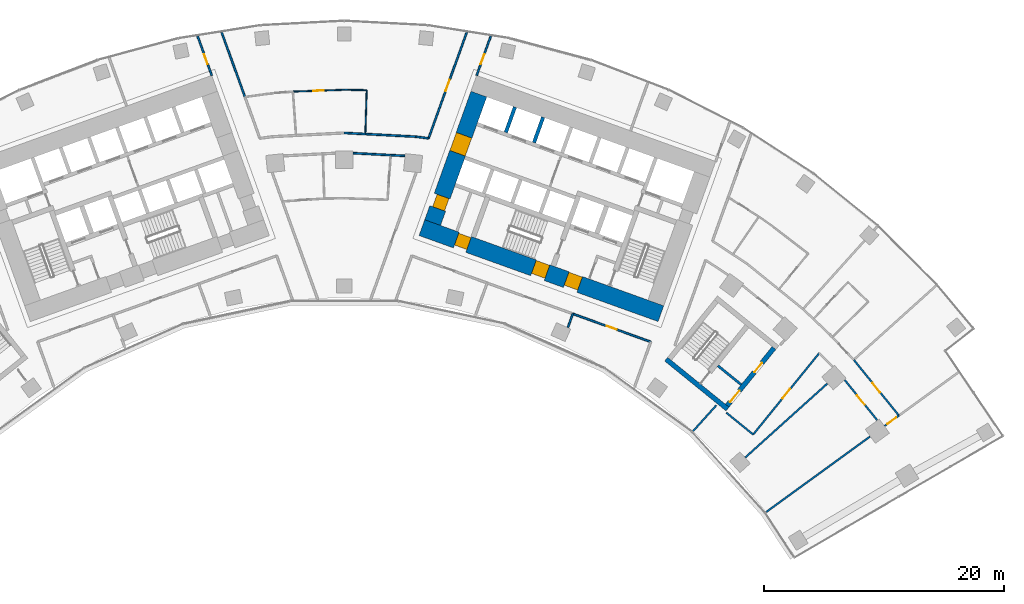
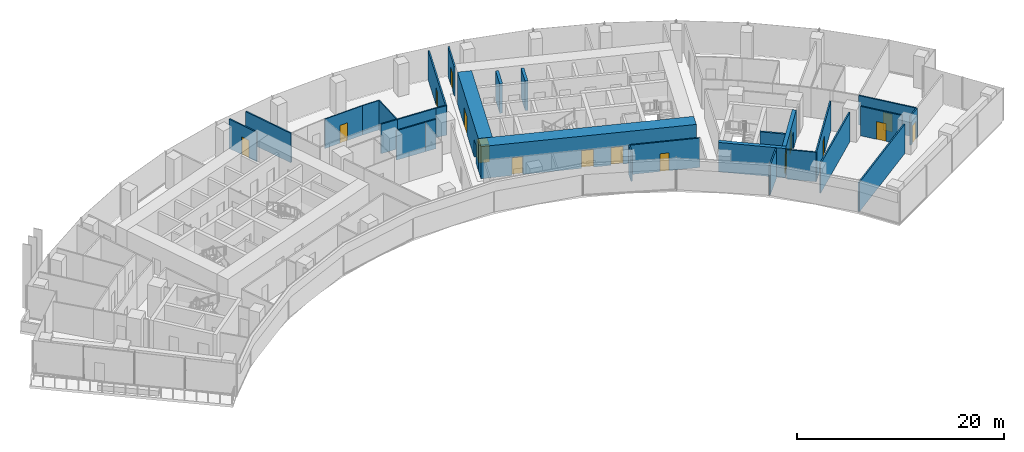
# One storey, part 16 of 21: 29 walls, 16 doors, 16 openings.
"""IFC4 building model written with IfcOpenShell, lengths in metres."""

from ifc_helpers import new_model, si_unit, direction, frame, frame_2d, origin, place, context, subcontext, project, spatial, rectangle, extrude, material, layer, layer_set, type_object, element, fill, save


model = new_model("IFC4")

# Units and contexts
model_context = context("Model", 3, precision=1e-05, world=origin(), true_north=direction((0.0, 1.0)))
body_context = subcontext(model_context, "Body", "Model", "MODEL_VIEW")
ifc_project = project(units=[si_unit("LENGTHUNIT", "METRE"), si_unit("AREAUNIT", "SQUARE_METRE"), si_unit("VOLUMEUNIT", "CUBIC_METRE"), si_unit("PLANEANGLEUNIT", "RADIAN"), si_unit("MASSUNIT", "GRAM", prefix="KILO")], contexts=[model_context])

# Site, building, storey
site_placement = place(None, origin())
site = spatial("IfcSite", under=ifc_project, at=site_placement, CompositionType="ELEMENT")
building_placement = place(site_placement, origin())
building = spatial("IfcBuilding", under=site, at=building_placement, Name="Stone Belt Terrace Tower", CompositionType="ELEMENT")
storey_placement = place(building_placement, frame((0.0, 0.0, 113.60009765625)))
storey = spatial("IfcBuildingStorey", under=building, at=storey_placement, Name="L27", CompositionType="ELEMENT", Elevation=113.60009765625)

# Wall, openings, doors
ifc_material_1 = material(Name="Concrete B80", Category="concrete")
ifc_layer_1 = layer(ifc_material_1, 1.39990234375)
ifc_layer_set_1 = layer_set([ifc_layer_1], Name="Core wall 1400 B80")
wall_type_1 = type_object("IfcWallType", Name="Core wall 1400 B80", PredefinedType="SHEAR", material=ifc_layer_set_1)
wall_1_placement = place(storey_placement, frame((6.4833984375, 49.318115234375, 0.0), z_axis=(0.0, 0.0, 1.0), x_axis=(0.940923374003, -0.33861955681, 0.0)))
wall_1 = element("IfcWall", 1, at=wall_1_placement, inside=storey, type_object=wall_type_1, Name="Core B wall concave L27", PredefinedType="SHEAR", context=body_context, shape_type="SweptSolid", body=[
    extrude(rectangle(XDim=21.199951171875, YDim=1.39990234375, at=frame_2d((10.60009765625, 0.0))), origin(), (0.0, 0.0, 1.0), 3.7998046875),
])
opening_1_placement = place(wall_1_placement, frame((12.800048828125, 0.0, 0.0)))
opening_1 = element("IfcOpeningElement", 2, at=opening_1_placement, cuts=wall_1, Name="Opening L27-C18", PredefinedType="OPENING", context=body_context, shape_type="SweptSolid", body=[
    extrude(rectangle(XDim=1.199951171875, YDim=2.10009765625, at=frame_2d((0.60009765625, 1.050048828125))), frame((0.0, 0.7099609375, 0.0), z_axis=(0.0, -1.0, 0.0), x_axis=(1.0, 0.0, 0.0)), (0.0, 0.0, 1.0), 1.419921875),
])
opening_2_placement = place(wall_1_placement, frame((9.89990234375, 0.0, 0.0)))
opening_2 = element("IfcOpeningElement", 3, at=opening_2_placement, cuts=wall_1, Name="Opening L27-C20", PredefinedType="OPENING", context=body_context, shape_type="SweptSolid", body=[
    extrude(rectangle(XDim=1.199951171875, YDim=2.10009765625, at=frame_2d((0.60009765625, 1.050048828125))), frame((0.0, 0.7099609375, 0.0), z_axis=(0.0, -1.0, 0.0), x_axis=(1.0, 0.0, 0.0)), (0.0, 0.0, 1.0), 1.419921875),
])
opening_3_placement = place(wall_1_placement, frame((3.050048828125, 0.0, 0.0)))
opening_3 = element("IfcOpeningElement", 4, at=opening_3_placement, cuts=wall_1, Name="Opening L27-C22", PredefinedType="OPENING", context=body_context, shape_type="SweptSolid", body=[
    extrude(rectangle(XDim=1.10009765625, YDim=2.10009765625, at=frame_2d((0.550048828125, 1.050048828125))), frame((0.0, 0.7099609375, 0.0), z_axis=(0.0, -1.0, 0.0), x_axis=(1.0, 0.0, 0.0)), (0.0, 0.0, 1.0), 1.419921875),
])
ifc_material_2 = material(Name="Timber door leaf", Category="wood")
door_type_1 = type_object("IfcDoorType", Name="Core room door 1100", OperationType="SINGLE_SWING_LEFT", PredefinedType="DOOR", material=ifc_material_2)
door_1_placement = place(opening_3_placement, origin())
door_1 = element("IfcDoor", 5, at=door_1_placement, inside=storey, type_object=door_type_1, Name="Door to Communications riser room core B", OperationType="SINGLE_SWING_LEFT", OverallHeight=2.10009765625, OverallWidth=1.10009765625, PredefinedType="DOOR", context=body_context, shape_type="SweptSolid", body=[
    extrude(rectangle(XDim=1.10009765625, YDim=2.10009765625, at=frame_2d((0.550048828125, 1.050048828125))), frame((0.0, 0.60498046875, 0.0), z_axis=(0.0, -1.0, 0.0), x_axis=(1.0, 0.0, 0.0)), (0.0, 0.0, 1.0), 1.050048828125),
])
fill(opening_3, door_1)
ifc_material_3 = material(Name="Steel door leaf", Category="steel")
door_type_2 = type_object("IfcDoorType", Name="Fire-fighting lobby door 1200", OperationType="SINGLE_SWING_LEFT", PredefinedType="DOOR", material=ifc_material_3)
door_2_placement = place(opening_1_placement, origin())
door_2 = element("IfcDoor", 6, at=door_2_placement, inside=storey, type_object=door_type_2, Name="Fire-fighting lobby door core B", OperationType="SINGLE_SWING_LEFT", OverallHeight=2.10009765625, OverallWidth=1.199951171875, PredefinedType="DOOR", context=body_context, shape_type="SweptSolid", body=[
    extrude(rectangle(XDim=1.199951171875, YDim=2.10009765625, at=frame_2d((0.60009765625, 1.050048828125))), frame((0.0, 0.655029296875, 0.0), z_axis=(0.0, -1.0, 0.0), x_axis=(1.0, 0.0, 0.0)), (0.0, 0.0, 1.0), 1.14990234375),
])
fill(opening_1, door_2)
door_type_3 = type_object("IfcDoorType", Name="Stair door 1200", OperationType="SINGLE_SWING_LEFT", PredefinedType="DOOR", material=ifc_material_3)
door_3_placement = place(opening_2_placement, origin())
door_3 = element("IfcDoor", 7, at=door_3_placement, inside=storey, type_object=door_type_3, Name="Stair 2 exit door core B", OperationType="SINGLE_SWING_RIGHT", OverallHeight=2.10009765625, OverallWidth=1.199951171875, PredefinedType="DOOR", context=body_context, shape_type="SweptSolid", body=[
    extrude(rectangle(XDim=1.199951171875, YDim=2.10009765625, at=frame_2d((0.60009765625, 1.050048828125))), frame((0.0, 0.655029296875, 0.0), z_axis=(0.0, -1.0, 0.0), x_axis=(1.0, 0.0, 0.0)), (0.0, 0.0, 1.0), 1.14990234375),
])
fill(opening_2, door_3)

wall_2_placement = place(storey_placement, frame((7.379150390625, 49.73974609375, 0.0), z_axis=(0.0, 0.0, 1.0), x_axis=(0.338625431531, 0.940921259788, 0.0)))
wall_2 = element("IfcWall", 8, at=wall_2_placement, inside=storey, type_object=wall_type_1, Name="Core B wall end_a L27", PredefinedType="SHEAR", context=body_context, shape_type="SweptSolid", body=[
    extrude(rectangle(XDim=11.400146484375, YDim=1.39990234375, at=frame_2d((5.7001953125, 0.0))), origin(), (0.0, 0.0, 1.0), 3.7998046875),
])
opening_4_placement = place(wall_2_placement, frame((6.14990234375, 0.0, 0.0)))
opening_4 = element("IfcOpeningElement", 9, at=opening_4_placement, cuts=wall_2, Name="Opening L27-C15", PredefinedType="OPENING", context=body_context, shape_type="SweptSolid", body=[
    extrude(rectangle(XDim=1.60009765625, YDim=2.10009765625, at=frame_2d((0.800048828125, 1.050048828125))), frame((0.0, 0.7099609375, 0.0), z_axis=(0.0, -1.0, 0.0), x_axis=(1.0, 0.0, 0.0)), (0.0, 0.0, 1.0), 1.419921875),
])
opening_5_placement = place(wall_2_placement, frame((1.25, 0.0, 0.0)))
opening_5 = element("IfcOpeningElement", 10, at=opening_5_placement, cuts=wall_2, Name="Opening L27-C21", PredefinedType="OPENING", context=body_context, shape_type="SweptSolid", body=[
    extrude(rectangle(XDim=1.10009765625, YDim=2.10009765625, at=frame_2d((0.550048828125, 1.050048828125))), frame((0.0, 0.7099609375, 0.0), z_axis=(0.0, -1.0, 0.0), x_axis=(1.0, 0.0, 0.0)), (0.0, 0.0, 1.0), 1.419921875),
])
door_4_placement = place(opening_5_placement, origin())
door_4 = element("IfcDoor", 11, at=door_4_placement, inside=storey, type_object=door_type_1, Name="Door to Cleaner's store core B", OperationType="SINGLE_SWING_RIGHT", OverallHeight=2.10009765625, OverallWidth=1.10009765625, PredefinedType="DOOR", context=body_context, shape_type="SweptSolid", body=[
    extrude(rectangle(XDim=1.10009765625, YDim=2.10009765625, at=frame_2d((0.550048828125, 1.050048828125))), frame((0.0, 0.44482421875, 0.0), z_axis=(0.0, -1.0, 0.0), x_axis=(1.0, 0.0, 0.0)), (0.0, 0.0, 1.0), 1.050048828125),
])
fill(opening_5, door_4)
ifc_material_4 = material(Name="Glazed aluminium door leaf", Category="aluminium")
door_type_4 = type_object("IfcDoorType", Name="Lift lobby entrance door 1600", OperationType="DOUBLE_DOOR_SINGLE_SWING", PredefinedType="DOOR", material=ifc_material_4)
door_5_placement = place(opening_4_placement, origin())
door_5 = element("IfcDoor", 12, at=door_5_placement, inside=storey, type_object=door_type_4, Name="Lift lobby entrance door core B", OperationType="DOUBLE_DOOR_SINGLE_SWING", OverallHeight=2.10009765625, OverallWidth=1.60009765625, PredefinedType="DOOR", context=body_context, shape_type="SweptSolid", body=[
    extrude(rectangle(XDim=1.60009765625, YDim=2.10009765625, at=frame_2d((0.800048828125, 1.050048828125))), frame((0.0, 0.68017578125, 0.0), z_axis=(0.0, -1.0, 0.0), x_axis=(1.0, 0.0, 0.0)), (0.0, 0.0, 1.0), 1.360107421875),
])
fill(opening_4, door_5)

# Walls
ifc_layer_2 = layer(ifc_material_1, 0.300048828125)
ifc_layer_set_2 = layer_set([ifc_layer_2], Name="Lift shaft wall 300")
wall_type_2 = type_object("IfcWallType", Name="Lift shaft wall 300", PredefinedType="SHEAR", material=ifc_layer_set_2)
wall_3_placement = place(storey_placement, frame((15.8408203125, 56.419189453125, 0.0), z_axis=(0.0, 0.0, 1.0), x_axis=(0.338569601369, 0.940941350472, 0.0)))
element("IfcWall", 13, at=wall_3_placement, inside=storey, type_object=wall_type_2, Name="Core B wall", PredefinedType="SHEAR", context=body_context, shape_type="SweptSolid", body=[
    extrude(rectangle(XDim=2.249755859375, YDim=0.300048828125, at=frame_2d((1.125, 0.0))), origin(), (0.0, 0.0, 1.0), 3.47998046875),
])
wall_4_placement = place(storey_placement, frame((13.48828125, 57.265625, 0.0), z_axis=(0.0, 0.0, 1.0), x_axis=(0.338631098537, 0.940919220286, 0.0)))
element("IfcWall", 14, at=wall_4_placement, inside=storey, type_object=wall_type_2, Name="Core B wall", PredefinedType="SHEAR", context=body_context, shape_type="SweptSolid", body=[
    extrude(rectangle(XDim=2.250244140625, YDim=0.300048828125, at=frame_2d((1.125, 0.0))), origin(), (0.0, 0.0, 1.0), 3.47998046875),
])
ifc_material_5 = material(Name="Gypsum board partition")
ifc_layer_3 = layer(ifc_material_5, 0.10009765625)
ifc_layer_set_3 = layer_set([ifc_layer_3], Name="PARTITION 100")
wall_type_3 = type_object("IfcWallType", Name="PARTITION 100", PredefinedType="PARTITIONING", material=ifc_layer_set_3)
wall_5_placement = place(storey_placement, frame((1.762939453125, 57.133056640625, 0.0), z_axis=(0.0, 0.0, 1.0), x_axis=(0.031112039382, 0.999515903328, 0.0)))
element("IfcWall", 15, at=wall_5_placement, inside=storey, type_object=wall_type_3, Name="L27/wall/i102", PredefinedType="PARTITIONING", context=body_context, shape_type="SweptSolid", body=[
    extrude(rectangle(XDim=3.66455078125, YDim=0.10009765625, at=frame_2d((1.832275390625, 0.0))), origin(), (0.0, 0.0, 1.0), 3.47998046875),
])
wall_6_placement = place(storey_placement, frame((1.876953125, 60.7958984375, 0.0), z_axis=(0.0, 0.0, 1.0), x_axis=(-0.999880226939, 0.015476814127, 0.0)))
element("IfcWall", 16, at=wall_6_placement, inside=storey, type_object=wall_type_3, Name="L27/wall/i103", PredefinedType="PARTITIONING", context=body_context, shape_type="SweptSolid", body=[
    extrude(rectangle(XDim=1.877197265625, YDim=0.10009765625, at=frame_2d((0.9384765625, 0.0))), origin(), (0.0, 0.0, 1.0), 3.47998046875),
])

# Wall, opening, door
wall_7_placement = place(storey_placement, frame((0.0, 60.824951171875, 0.0), z_axis=(0.0, 0.0, 1.0), x_axis=(-0.999379515327, -0.035221929882, 0.0)))
wall_7 = element("IfcWall", 17, at=wall_7_placement, inside=storey, type_object=wall_type_3, Name="L27/wall/i104", PredefinedType="PARTITIONING", context=body_context, shape_type="SweptSolid", body=[
    extrude(rectangle(XDim=4.28369140625, YDim=0.10009765625, at=frame_2d((2.141845703125, 0.0))), origin(), (0.0, 0.0, 1.0), 3.47998046875),
])
opening_6_placement = place(wall_7_placement, frame((1.69189453125, 0.0, 0.0)))
opening_6 = element("IfcOpeningElement", 18, at=opening_6_placement, cuts=wall_7, Name="Opening D-B4-33", PredefinedType="OPENING", context=body_context, shape_type="SweptSolid", body=[
    extrude(rectangle(XDim=0.89990234375, YDim=2.10009765625, at=frame_2d((0.449951171875, 1.050048828125))), frame((0.0, 0.06005859375, 0.0), z_axis=(0.0, -1.0, 0.0), x_axis=(1.0, 0.0, 0.0)), (0.0, 0.0, 1.0), 0.1201171875),
])
door_type_5 = type_object("IfcDoorType", Name="OFFICE DOOR 900 X 2100", OperationType="NOTDEFINED", PredefinedType="DOOR", material=ifc_material_2)
door_6_placement = place(opening_6_placement, origin())
door_6 = element("IfcDoor", 19, at=door_6_placement, inside=storey, type_object=door_type_5, Name="L27/door/i33", OperationType="SINGLE_SWING_RIGHT", OverallHeight=2.10009765625, OverallWidth=0.89990234375, PredefinedType="DOOR", context=body_context, shape_type="SweptSolid", body=[
    extrude(rectangle(XDim=0.89990234375, YDim=2.10009765625, at=frame_2d((0.449951171875, 1.050048828125))), frame((0.0, 0.02490234375, 0.0), z_axis=(0.0, -1.0, 0.0), x_axis=(1.0, 0.0, 0.0)), (0.0, 0.0, 1.0), 0.050048828125),
])
fill(opening_6, door_6)

ifc_layer_4 = layer(ifc_material_5, 0.14990234375)
ifc_layer_set_4 = layer_set([ifc_layer_4], Name="PARTITION 150 EI 60")
wall_type_4 = type_object("IfcWallType", Name="PARTITION 150 EI 60", PredefinedType="PARTITIONING", material=ifc_layer_set_4)
wall_8_placement = place(storey_placement, frame((-11.054931640625, 62.02099609375, 0.0), z_axis=(0.0, 0.0, 1.0), x_axis=(-0.338853532575, 0.94083913793, 0.0)))
wall_8 = element("IfcWall", 20, at=wall_8_placement, inside=storey, type_object=wall_type_4, Name="L27/wall/i009", PredefinedType="PARTITIONING", context=body_context, shape_type="SweptSolid", body=[
    extrude(rectangle(XDim=3.482177734375, YDim=0.14990234375, at=frame_2d((1.7412109375, 0.0))), origin(), (0.0, 0.0, 1.0), 3.47998046875),
])
opening_7_placement = place(wall_8_placement, frame((0.99365234375, 0.0, 0.0)))
opening_7 = element("IfcOpeningElement", 21, at=opening_7_placement, cuts=wall_8, Name="Opening D-B4-05", PredefinedType="OPENING", context=body_context, shape_type="SweptSolid", body=[
    extrude(rectangle(XDim=0.89990234375, YDim=2.10009765625, at=frame_2d((0.449951171875, 1.050048828125))), frame((0.0, 0.0849609375, 0.0), z_axis=(0.0, -1.0, 0.0), x_axis=(1.0, 0.0, 0.0)), (0.0, 0.0, 1.0), 0.169921875),
])
door_7_placement = place(opening_7_placement, origin())
door_7 = element("IfcDoor", 22, at=door_7_placement, inside=storey, type_object=door_type_5, Name="L27/door/i05", OperationType="SINGLE_SWING_LEFT", OverallHeight=2.10009765625, OverallWidth=0.89990234375, PredefinedType="DOOR", context=body_context, shape_type="SweptSolid", body=[
    extrude(rectangle(XDim=0.89990234375, YDim=2.10009765625, at=frame_2d((0.449951171875, 1.050048828125))), frame((0.0, 0.02490234375, 0.0), z_axis=(0.0, -1.0, 0.0), x_axis=(1.0, 0.0, 0.0)), (0.0, 0.0, 1.0), 0.050048828125),
])
fill(opening_7, door_7)

# Wall
wall_9_placement = place(storey_placement, frame((-10.223876953125, 65.6162109375, 0.0), z_axis=(0.0, 0.0, 1.0), x_axis=(0.338645630419, -0.940913990223, 0.0)))
element("IfcWall", 23, at=wall_9_placement, inside=storey, type_object=wall_type_4, Name="L27/wall/i012", PredefinedType="PARTITIONING", context=body_context, shape_type="SweptSolid", body=[
    extrude(rectangle(XDim=5.737060546875, YDim=0.14990234375, at=frame_2d((2.86865234375, 0.0))), origin(), (0.0, 0.0, 1.0), 3.47998046875),
])

# Wall, opening, door
wall_10_placement = place(storey_placement, frame((12.23486328125, 65.297119140625, 0.0), z_axis=(0.0, 0.0, 1.0), x_axis=(-0.338853532575, -0.94083913793, 0.0)))
wall_10 = element("IfcWall", 24, at=wall_10_placement, inside=storey, type_object=wall_type_4, Name="L27/wall/i022", PredefinedType="PARTITIONING", context=body_context, shape_type="SweptSolid", body=[
    extrude(rectangle(XDim=3.482177734375, YDim=0.14990234375, at=frame_2d((1.7412109375, 0.0))), origin(), (0.0, 0.0, 1.0), 3.47998046875),
])
opening_8_placement = place(wall_10_placement, frame((1.58837890625, 0.0, 0.0)))
opening_8 = element("IfcOpeningElement", 25, at=opening_8_placement, cuts=wall_10, Name="Opening D-B4-09", PredefinedType="OPENING", context=body_context, shape_type="SweptSolid", body=[
    extrude(rectangle(XDim=0.89990234375, YDim=2.10009765625, at=frame_2d((0.449951171875, 1.050048828125))), frame((0.0, 0.0849609375, 0.0), z_axis=(0.0, -1.0, 0.0), x_axis=(1.0, 0.0, 0.0)), (0.0, 0.0, 1.0), 0.169921875),
])
door_8_placement = place(opening_8_placement, origin())
door_8 = element("IfcDoor", 26, at=door_8_placement, inside=storey, type_object=door_type_5, Name="L27/door/i09", OperationType="SINGLE_SWING_RIGHT", OverallHeight=2.10009765625, OverallWidth=0.89990234375, PredefinedType="DOOR", context=body_context, shape_type="SweptSolid", body=[
    extrude(rectangle(XDim=0.89990234375, YDim=2.10009765625, at=frame_2d((0.449951171875, 1.050048828125))), frame((0.0, 0.02490234375, 0.0), z_axis=(0.0, -1.0, 0.0), x_axis=(1.0, 0.0, 0.0)), (0.0, 0.0, 1.0), 0.050048828125),
])
fill(opening_8, door_8)

wall_11_placement = place(storey_placement, frame((7.0390625, 56.76708984375, 0.0), z_axis=(0.0, 0.0, 1.0), x_axis=(0.338637655092, 0.940916860596, 0.0)))
wall_11 = element("IfcWall", 27, at=wall_11_placement, inside=storey, type_object=wall_type_4, Name="L27/wall/i024", PredefinedType="PARTITIONING", context=body_context, shape_type="SweptSolid", body=[
    extrude(rectangle(XDim=9.40478515625, YDim=0.14990234375, at=frame_2d((4.702392578125, 0.0))), origin(), (0.0, 0.0, 1.0), 3.47998046875),
])
opening_9_placement = place(wall_11_placement, frame((4.202392578125, 0.0, 0.0)))
opening_9 = element("IfcOpeningElement", 28, at=opening_9_placement, cuts=wall_11, Name="Opening D-B4-31", PredefinedType="OPENING", context=body_context, shape_type="SweptSolid", body=[
    extrude(rectangle(XDim=1.0, YDim=2.10009765625, at=frame_2d((0.5, 1.050048828125))), frame((0.0, 0.0849609375, 0.0), z_axis=(0.0, -1.0, 0.0), x_axis=(1.0, 0.0, 0.0)), (0.0, 0.0, 1.0), 0.169921875),
])
ifc_material_6 = material(Name="Timber fire door leaf", Category="wood")
door_type_6 = type_object("IfcDoorType", Name="TENANCY ENTRANCE DOOR 1000 X 2100", OperationType="NOTDEFINED", PredefinedType="DOOR", material=ifc_material_6)
door_9_placement = place(opening_9_placement, origin())
door_9 = element("IfcDoor", 29, at=door_9_placement, inside=storey, type_object=door_type_6, Name="L27/door/i31", OperationType="SINGLE_SWING_RIGHT", OverallHeight=2.10009765625, OverallWidth=1.0, PredefinedType="DOOR", context=body_context, shape_type="SweptSolid", body=[
    extrude(rectangle(XDim=1.0, YDim=2.10009765625, at=frame_2d((0.5, 1.050048828125))), frame((0.0, 0.02490234375, 0.0), z_axis=(0.0, -1.0, 0.0), x_axis=(1.0, 0.0, 0.0)), (0.0, 0.0, 1.0), 0.050048828125),
])
fill(opening_9, door_9)

# Wall
wall_12_placement = place(storey_placement, frame((31.054931640625, 34.489990234375, 0.0), z_axis=(0.0, 0.0, 1.0), x_axis=(-0.669108362487, -0.743164853347, 0.0)))
element("IfcWall", 30, at=wall_12_placement, inside=storey, type_object=wall_type_4, Name="L27/wall/i028", PredefinedType="PARTITIONING", context=body_context, shape_type="SweptSolid", body=[
    extrude(rectangle(XDim=2.910888671875, YDim=0.14990234375, at=frame_2d((1.45556640625, 0.0))), origin(), (0.0, 0.0, 1.0), 3.47998046875),
])

# Wall, opening, door
wall_13_placement = place(storey_placement, frame((25.583984375, 39.787109375, 0.0), z_axis=(0.0, 0.0, 1.0), x_axis=(-0.940925641698, 0.338613255493, 0.0)))
wall_13 = element("IfcWall", 31, at=wall_13_placement, inside=storey, type_object=wall_type_4, Name="L27/wall/i033", PredefinedType="PARTITIONING", context=body_context, shape_type="SweptSolid", body=[
    extrude(rectangle(XDim=6.918701171875, YDim=0.14990234375, at=frame_2d((3.45947265625, 0.0))), origin(), (0.0, 0.0, 1.0), 3.47998046875),
])
opening_10_placement = place(wall_13_placement, frame((3.00927734375, 0.0, 0.0)))
opening_10 = element("IfcOpeningElement", 32, at=opening_10_placement, cuts=wall_13, Name="Opening D-B4-08", PredefinedType="OPENING", context=body_context, shape_type="SweptSolid", body=[
    extrude(rectangle(XDim=0.89990234375, YDim=2.10009765625, at=frame_2d((0.449951171875, 1.050048828125))), frame((0.0, 0.0849609375, 0.0), z_axis=(0.0, -1.0, 0.0), x_axis=(1.0, 0.0, 0.0)), (0.0, 0.0, 1.0), 0.169921875),
])
door_10_placement = place(opening_10_placement, origin())
door_10 = element("IfcDoor", 33, at=door_10_placement, inside=storey, type_object=door_type_5, Name="L27/door/i08", OperationType="SINGLE_SWING_RIGHT", OverallHeight=2.10009765625, OverallWidth=0.89990234375, PredefinedType="DOOR", context=body_context, shape_type="SweptSolid", body=[
    extrude(rectangle(XDim=0.89990234375, YDim=2.10009765625, at=frame_2d((0.449951171875, 1.050048828125))), frame((0.0, 0.02490234375, 0.0), z_axis=(0.0, -1.0, 0.0), x_axis=(1.0, 0.0, 0.0)), (0.0, 0.0, 1.0), 0.050048828125),
])
fill(opening_10, door_10)

# Wall
wall_14_placement = place(storey_placement, frame((19.080078125, 42.1279296875, 0.0), z_axis=(0.0, 0.0, 1.0), x_axis=(-0.338669018445, -0.940905572279, 0.0)))
element("IfcWall", 34, at=wall_14_placement, inside=storey, type_object=wall_type_4, Name="L27/wall/i035", PredefinedType="PARTITIONING", context=body_context, shape_type="SweptSolid", body=[
    extrude(rectangle(XDim=1.199462890625, YDim=0.14990234375, at=frame_2d((0.599609375, 0.0))), origin(), (0.0, 0.0, 1.0), 3.47998046875),
])

# Wall, opening, door
wall_15_placement = place(storey_placement, frame((46.301025390625, 33.638916015625, 0.0), z_axis=(0.0, 0.0, 1.0), x_axis=(-0.809407972322, -0.587246740597, 0.0)))
wall_15 = element("IfcWall", 35, at=wall_15_placement, inside=storey, type_object=wall_type_4, Name="L27/wall/i054", PredefinedType="PARTITIONING", context=body_context, shape_type="SweptSolid", body=[
    extrude(rectangle(XDim=1.475830078125, YDim=0.14990234375, at=frame_2d((0.73779296875, 0.0))), origin(), (0.0, 0.0, 1.0), 3.47998046875),
])
opening_11_placement = place(wall_15_placement, frame((0.287841796875, 0.0, 0.0)))
opening_11 = element("IfcOpeningElement", 36, at=opening_11_placement, cuts=wall_15, Name="Opening D-B4-18", PredefinedType="OPENING", context=body_context, shape_type="SweptSolid", body=[
    extrude(rectangle(XDim=0.89990234375, YDim=2.10009765625, at=frame_2d((0.449951171875, 1.050048828125))), frame((0.0, 0.0849609375, 0.0), z_axis=(0.0, -1.0, 0.0), x_axis=(1.0, 0.0, 0.0)), (0.0, 0.0, 1.0), 0.169921875),
])
door_11_placement = place(opening_11_placement, origin())
door_11 = element("IfcDoor", 37, at=door_11_placement, inside=storey, type_object=door_type_5, Name="L27/door/i18", OperationType="SINGLE_SWING_RIGHT", OverallHeight=2.10009765625, OverallWidth=0.89990234375, PredefinedType="DOOR", context=body_context, shape_type="SweptSolid", body=[
    extrude(rectangle(XDim=0.89990234375, YDim=2.10009765625, at=frame_2d((0.449951171875, 1.050048828125))), frame((0.0, 0.02490234375, 0.0), z_axis=(0.0, -1.0, 0.0), x_axis=(1.0, 0.0, 0.0)), (0.0, 0.0, 1.0), 0.050048828125),
])
fill(opening_11, door_11)

# Wall
wall_16_placement = place(storey_placement, frame((35.192138671875, 25.568115234375, 0.0), z_axis=(0.0, 0.0, 1.0), x_axis=(0.809024841759, 0.587774451143, 0.0)))
element("IfcWall", 38, at=wall_16_placement, inside=storey, type_object=wall_type_4, Name="L27/wall/i055", PredefinedType="PARTITIONING", context=body_context, shape_type="SweptSolid", body=[
    extrude(rectangle(XDim=10.745361328125, YDim=0.14990234375, at=frame_2d((5.37255859375, 0.0))), origin(), (0.0, 0.0, 1.0), 3.47998046875),
])

# Wall, opening, door
wall_17_placement = place(storey_placement, frame((44.485107421875, 33.253662109375, 0.0), z_axis=(0.0, 0.0, 1.0), x_axis=(-0.629214542808, 0.777231663739, 0.0)))
wall_17 = element("IfcWall", 39, at=wall_17_placement, inside=storey, type_object=wall_type_4, Name="L27/wall/i066", PredefinedType="PARTITIONING", context=body_context, shape_type="SweptSolid", body=[
    extrude(rectangle(XDim=4.304931640625, YDim=0.14990234375, at=frame_2d((2.15234375, 0.0))), origin(), (0.0, 0.0, 1.0), 3.47998046875),
])
opening_12_placement = place(wall_17_placement, frame((1.652587890625, 0.0, 0.0)))
opening_12 = element("IfcOpeningElement", 40, at=opening_12_placement, cuts=wall_17, Name="Opening D-B4-21", PredefinedType="OPENING", context=body_context, shape_type="SweptSolid", body=[
    extrude(rectangle(XDim=1.0, YDim=2.10009765625, at=frame_2d((0.5, 1.050048828125))), frame((0.0, 0.0849609375, 0.0), z_axis=(0.0, -1.0, 0.0), x_axis=(1.0, 0.0, 0.0)), (0.0, 0.0, 1.0), 0.169921875),
])
door_12_placement = place(opening_12_placement, origin())
door_12 = element("IfcDoor", 41, at=door_12_placement, inside=storey, type_object=door_type_6, Name="L27/door/i21", OperationType="SINGLE_SWING_RIGHT", OverallHeight=2.10009765625, OverallWidth=1.0, PredefinedType="DOOR", context=body_context, shape_type="SweptSolid", body=[
    extrude(rectangle(XDim=1.0, YDim=2.10009765625, at=frame_2d((0.5, 1.050048828125))), frame((0.0, 0.02490234375, 0.0), z_axis=(0.0, -1.0, 0.0), x_axis=(1.0, 0.0, 0.0)), (0.0, 0.0, 1.0), 0.050048828125),
])
fill(opening_12, door_12)

wall_18_placement = place(storey_placement, frame((42.527099609375, 38.2900390625, 0.0), z_axis=(0.0, 0.0, 1.0), x_axis=(0.629322532513, -0.77714422733, 0.0)))
wall_18 = element("IfcWall", 42, at=wall_18_placement, inside=storey, type_object=wall_type_4, Name="L27/wall/i069", PredefinedType="PARTITIONING", context=body_context, shape_type="SweptSolid", body=[
    extrude(rectangle(XDim=5.98876953125, YDim=0.14990234375, at=frame_2d((2.994384765625, 0.0))), origin(), (0.0, 0.0, 1.0), 3.47998046875),
])
opening_13_placement = place(wall_18_placement, frame((2.494384765625, 0.0, 0.0)))
opening_13 = element("IfcOpeningElement", 43, at=opening_13_placement, cuts=wall_18, Name="Opening D-B4-27", PredefinedType="OPENING", context=body_context, shape_type="SweptSolid", body=[
    extrude(rectangle(XDim=1.0, YDim=2.10009765625, at=frame_2d((0.5, 1.050048828125))), frame((0.0, 0.0849609375, 0.0), z_axis=(0.0, -1.0, 0.0), x_axis=(1.0, 0.0, 0.0)), (0.0, 0.0, 1.0), 0.169921875),
])
door_13_placement = place(opening_13_placement, origin())
door_13 = element("IfcDoor", 44, at=door_13_placement, inside=storey, type_object=door_type_6, Name="L27/door/i27", OperationType="SINGLE_SWING_RIGHT", OverallHeight=2.10009765625, OverallWidth=1.0, PredefinedType="DOOR", context=body_context, shape_type="SweptSolid", body=[
    extrude(rectangle(XDim=1.0, YDim=2.10009765625, at=frame_2d((0.5, 1.050048828125))), frame((0.0, 0.02490234375, 0.0), z_axis=(0.0, -1.0, 0.0), x_axis=(1.0, 0.0, 0.0)), (0.0, 0.0, 1.0), 0.050048828125),
])
fill(opening_13, door_13)

wall_19_placement = place(storey_placement, frame((39.64599609375, 38.84912109375, 0.0), z_axis=(0.0, 0.0, 1.0), x_axis=(-0.630141823003, -0.776480059566, 0.0)))
wall_19 = element("IfcWall", 45, at=wall_19_placement, inside=storey, type_object=wall_type_4, Name="L27/wall/i071", PredefinedType="PARTITIONING", context=body_context, shape_type="SweptSolid", body=[
    extrude(rectangle(XDim=8.748779296875, YDim=0.14990234375, at=frame_2d((4.37451171875, 0.0))), origin(), (0.0, 0.0, 1.0), 3.47998046875),
])
opening_14_placement = place(wall_19_placement, frame((3.874267578125, 0.0, 0.0)))
opening_14 = element("IfcOpeningElement", 46, at=opening_14_placement, cuts=wall_19, Name="Opening D-B4-20", PredefinedType="OPENING", context=body_context, shape_type="SweptSolid", body=[
    extrude(rectangle(XDim=1.0, YDim=2.10009765625, at=frame_2d((0.5, 1.050048828125))), frame((0.0, 0.0849609375, 0.0), z_axis=(0.0, -1.0, 0.0), x_axis=(1.0, 0.0, 0.0)), (0.0, 0.0, 1.0), 0.169921875),
])
door_14_placement = place(opening_14_placement, origin())
door_14 = element("IfcDoor", 47, at=door_14_placement, inside=storey, type_object=door_type_6, Name="L27/door/i20", OperationType="SINGLE_SWING_RIGHT", OverallHeight=2.10009765625, OverallWidth=1.0, PredefinedType="DOOR", context=body_context, shape_type="SweptSolid", body=[
    extrude(rectangle(XDim=1.0, YDim=2.10009765625, at=frame_2d((0.5, 1.050048828125))), frame((0.0, 0.02490234375, 0.0), z_axis=(0.0, -1.0, 0.0), x_axis=(1.0, 0.0, 0.0)), (0.0, 0.0, 1.0), 0.050048828125),
])
fill(opening_14, door_14)

# Walls
wall_20_placement = place(storey_placement, frame((34.133056640625, 32.055908203125, 0.0), z_axis=(0.0, 0.0, 1.0), x_axis=(-0.776369956068, 0.630277471686, 0.0)))
element("IfcWall", 48, at=wall_20_placement, inside=storey, type_object=wall_type_4, Name="L27/wall/i072", PredefinedType="PARTITIONING", context=body_context, shape_type="SweptSolid", body=[
    extrude(rectangle(XDim=2.8876953125, YDim=0.14990234375, at=frame_2d((1.44384765625, 0.0))), origin(), (0.0, 0.0, 1.0), 3.47998046875),
])
wall_21_placement = place(storey_placement, frame((40.311767578125, 36.297119140625, 0.0), z_axis=(0.0, 0.0, 1.0), x_axis=(-0.74312513137, -0.669152478233, 0.0)))
element("IfcWall", 49, at=wall_21_placement, inside=storey, type_object=wall_type_4, Name="L27/wall/i073", PredefinedType="PARTITIONING", context=body_context, shape_type="SweptSolid", body=[
    extrude(rectangle(XDim=9.195068359375, YDim=0.14990234375, at=frame_2d((4.59765625, 0.0))), origin(), (0.0, 0.0, 1.0), 3.47998046875),
])
wall_22_placement = place(storey_placement, frame((5.05419921875, 55.310302734375, 0.0), z_axis=(0.0, 0.0, 1.0), x_axis=(-0.998637698263, 0.052179954081, 0.0)))
element("IfcWall", 50, at=wall_22_placement, inside=storey, type_object=wall_type_4, Name="L27/wall/i085", PredefinedType="PARTITIONING", context=body_context, shape_type="SweptSolid", body=[
    extrude(rectangle(XDim=1.183837890625, YDim=0.14990234375, at=frame_2d((0.591796875, 0.0))), origin(), (0.0, 0.0, 1.0), 3.47998046875),
])
wall_23_placement = place(storey_placement, frame((3.884033203125, 55.3720703125, 0.0), z_axis=(0.0, 0.0, 1.0), x_axis=(-0.998636491381, 0.052203046674, 0.0)))
element("IfcWall", 51, at=wall_23_placement, inside=storey, type_object=wall_type_4, Name="L27/wall/i087", PredefinedType="PARTITIONING", context=body_context, shape_type="SweptSolid", body=[
    extrude(rectangle(XDim=3.13330078125, YDim=0.14990234375, at=frame_2d((1.566650390625, 0.0))), origin(), (0.0, 0.0, 1.0), 3.47998046875),
])
wall_24_placement = place(storey_placement, frame((1.757080078125, 57.133056640625, 0.0), z_axis=(0.0, 0.0, 1.0), x_axis=(0.998635309304, -0.052225654719, 0.0)))
element("IfcWall", 52, at=wall_24_placement, inside=storey, type_object=wall_type_4, Name="L27/wall/i089", PredefinedType="PARTITIONING", context=body_context, shape_type="SweptSolid", body=[
    extrude(rectangle(XDim=4.230712890625, YDim=0.14990234375, at=frame_2d((2.115234375, 0.0))), origin(), (0.0, 0.0, 1.0), 3.47998046875),
])
wall_25_placement = place(storey_placement, frame((5.98193359375, 56.912109375, 0.0), z_axis=(0.0, 0.0, 1.0), x_axis=(0.991477617634, -0.130277142013, 0.0)))
element("IfcWall", 53, at=wall_25_placement, inside=storey, type_object=wall_type_4, Name="L27/wall/i090", PredefinedType="PARTITIONING", context=body_context, shape_type="SweptSolid", body=[
    extrude(rectangle(XDim=1.068115234375, YDim=0.14990234375, at=frame_2d((0.5341796875, 0.0))), origin(), (0.0, 0.0, 1.0), 3.47998046875),
])
wall_26_placement = place(storey_placement, frame((0.0, 57.22509765625, 0.0), z_axis=(0.0, 0.0, 1.0), x_axis=(0.998620493014, -0.052508198708, 0.0)))
element("IfcWall", 54, at=wall_26_placement, inside=storey, type_object=wall_type_4, Name="L27/wall/i094", PredefinedType="PARTITIONING", context=body_context, shape_type="SweptSolid", body=[
    extrude(rectangle(XDim=1.771484375, YDim=0.14990234375, at=frame_2d((0.8857421875, 0.0))), origin(), (0.0, 0.0, 1.0), 3.47998046875),
])
ifc_material_7 = material(Name="Concrete masonry block", Category="masonry")
ifc_layer_5 = layer(ifc_material_7, 0.199951171875)
ifc_layer_set_5 = layer_set([ifc_layer_5], Name="Rated lobby wall 200")
wall_type_5 = type_object("IfcWallType", Name="Rated lobby wall 200", PredefinedType="PARTITIONING", material=ifc_layer_set_5)
wall_27_placement = place(storey_placement, frame((31.190673828125, 37.79296875, 0.0), z_axis=(0.0, 0.0, 1.0), x_axis=(0.776370830301, -0.630276394813, 0.0)))
element("IfcWall", 55, at=wall_27_placement, inside=storey, type_object=wall_type_5, Name="Exit stair ST3B wall", PredefinedType="PARTITIONING", context=body_context, shape_type="SweptSolid", body=[
    extrude(rectangle(XDim=2.5, YDim=0.199951171875, at=frame_2d((1.25, 0.0))), origin(), (0.0, 0.0, 1.0), 3.47998046875),
])
ifc_layer_6 = layer(ifc_material_1, 0.39990234375)
ifc_layer_set_6 = layer_set([ifc_layer_6], Name="Stair enclosure wall 400")
wall_type_6 = type_object("IfcWallType", Name="Stair enclosure wall 400", PredefinedType="SHEAR", material=ifc_layer_set_6)
wall_28_placement = place(storey_placement, frame((26.868408203125, 38.3388671875, 0.0), z_axis=(0.0, 0.0, 1.0), x_axis=(0.776428452498, -0.630205409491, 0.0)))
element("IfcWall", 56, at=wall_28_placement, inside=storey, type_object=wall_type_6, Name="Exit stair ST3B wall", PredefinedType="SHEAR", context=body_context, shape_type="SweptSolid", body=[
    extrude(rectangle(XDim=6.60009765625, YDim=0.39990234375, at=frame_2d((3.300048828125, 0.0))), origin(), (0.0, 0.0, 1.0), 3.47998046875),
])

# Wall, openings, doors
wall_29_placement = place(storey_placement, frame((31.963623046875, 34.460693359375, 0.0), z_axis=(0.0, 0.0, 1.0), x_axis=(0.630192283849, 0.776439106033, 0.0)))
wall_29 = element("IfcWall", 57, at=wall_29_placement, inside=storey, type_object=wall_type_6, Name="Exit stair ST3B wall", PredefinedType="SHEAR", context=body_context, shape_type="SweptSolid", body=[
    extrude(rectangle(XDim=6.199951171875, YDim=0.39990234375, at=frame_2d((3.10009765625, 0.0))), origin(), (0.0, 0.0, 1.0), 3.47998046875),
])
opening_15_placement = place(wall_29_placement, frame((0.39990234375, 0.0, 0.0)))
opening_15 = element("IfcOpeningElement", 58, at=opening_15_placement, cuts=wall_29, Name="Opening L27-C27", PredefinedType="OPENING", context=body_context, shape_type="SweptSolid", body=[
    extrude(rectangle(XDim=1.199951171875, YDim=2.10009765625, at=frame_2d((0.60009765625, 1.050048828125))), frame((0.0, 0.2099609375, 0.0), z_axis=(0.0, -1.0, 0.0), x_axis=(1.0, 0.0, 0.0)), (0.0, 0.0, 1.0), 0.419921875),
])
opening_16_placement = place(wall_29_placement, frame((3.60009765625, 0.0, 0.0)))
opening_16 = element("IfcOpeningElement", 59, at=opening_16_placement, cuts=wall_29, Name="Opening L27-C28", PredefinedType="OPENING", context=body_context, shape_type="SweptSolid", body=[
    extrude(rectangle(XDim=1.0, YDim=2.10009765625, at=frame_2d((0.5, 1.050048828125))), frame((0.0, 0.2099609375, 0.0), z_axis=(0.0, -1.0, 0.0), x_axis=(1.0, 0.0, 0.0)), (0.0, 0.0, 1.0), 0.419921875),
])
door_type_7 = type_object("IfcDoorType", Name="Core room door 1000", OperationType="SINGLE_SWING_LEFT", PredefinedType="DOOR", material=ifc_material_2)
door_15_placement = place(opening_16_placement, origin())
door_15 = element("IfcDoor", 60, at=door_15_placement, inside=storey, type_object=door_type_7, Name="Door to stair pressurisation plant room ST3B", OperationType="SINGLE_SWING_RIGHT", OverallHeight=2.10009765625, OverallWidth=1.0, PredefinedType="DOOR", context=body_context, shape_type="SweptSolid", body=[
    extrude(rectangle(XDim=1.0, YDim=2.10009765625, at=frame_2d((0.5, 1.050048828125))), frame((0.0, 0.02490234375, 0.0), z_axis=(0.0, -1.0, 0.0), x_axis=(1.0, 0.0, 0.0)), (0.0, 0.0, 1.0), 0.050048828125),
])
fill(opening_16, door_15)
door_type_8 = type_object("IfcDoorType", Name="Stair airlock door 1200", OperationType="SINGLE_SWING_LEFT", PredefinedType="DOOR", material=ifc_material_3)
door_16_placement = place(opening_15_placement, origin())
door_16 = element("IfcDoor", 61, at=door_16_placement, inside=storey, type_object=door_type_8, Name="Stair airlock door ST3B", OperationType="SINGLE_SWING_RIGHT", OverallHeight=2.10009765625, OverallWidth=1.199951171875, PredefinedType="DOOR", context=body_context, shape_type="SweptSolid", body=[
    extrude(rectangle(XDim=1.199951171875, YDim=2.10009765625, at=frame_2d((0.60009765625, 1.050048828125))), frame((0.0, 0.02490234375, 0.0), z_axis=(0.0, -1.0, 0.0), x_axis=(1.0, 0.0, 0.0)), (0.0, 0.0, 1.0), 0.050048828125),
])
fill(opening_15, door_16)

save(model, "model.ifc")
